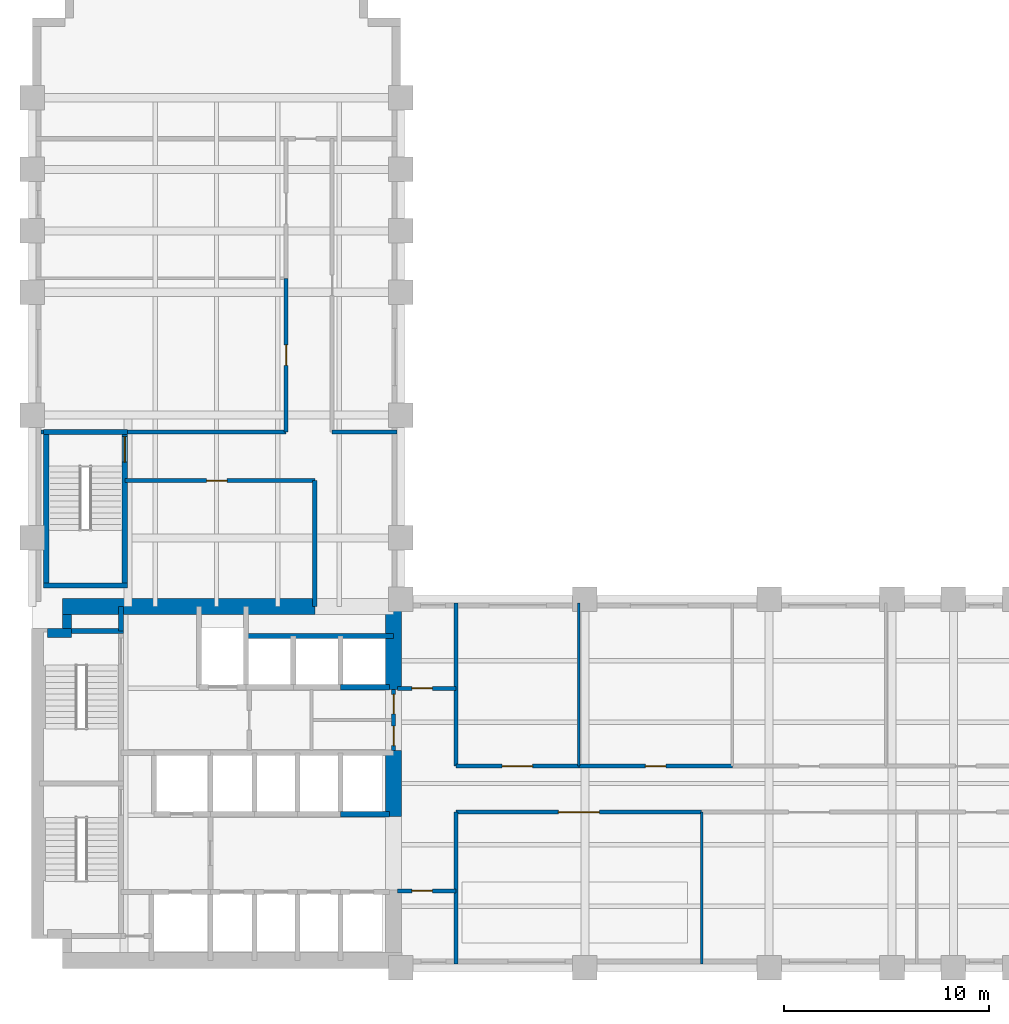
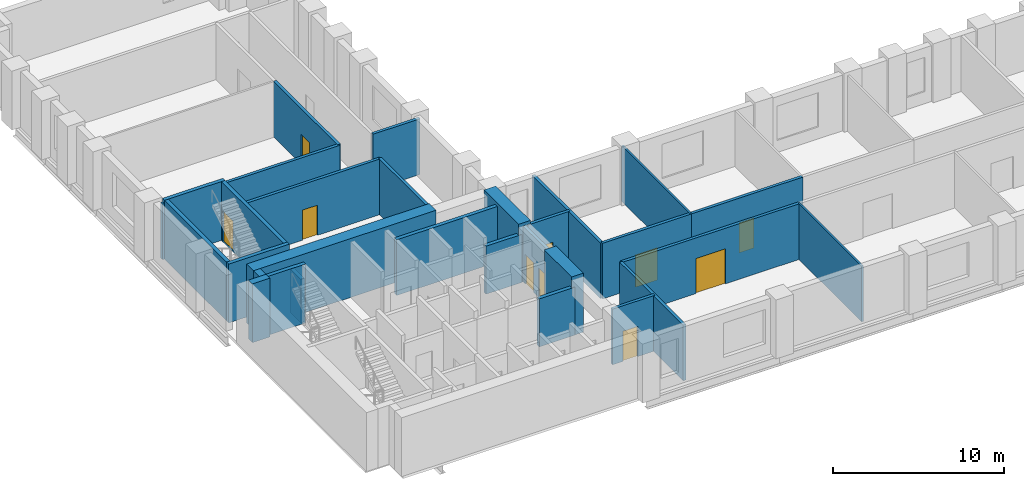
# One storey, part 4 of 7: 30 walls, 10 doors, 10 openings.
"""IFC4 building model written with IfcOpenShell, lengths in metres."""

from ifc_helpers import new_model, si_unit, direction, frame, frame_2d, origin, place, context, subcontext, project, spatial, rectangle, extrude, material, layer, layer_set, type_object, element, fill, save


model = new_model("IFC4")

# Units and contexts
model_context = context("Model", 3, precision=1e-05, world=origin(), true_north=direction((0.0, 1.0)))
body_context = subcontext(model_context, "Body", "Model", "MODEL_VIEW")
ifc_project = project(units=[si_unit("LENGTHUNIT", "METRE"), si_unit("AREAUNIT", "SQUARE_METRE"), si_unit("VOLUMEUNIT", "CUBIC_METRE"), si_unit("PLANEANGLEUNIT", "RADIAN"), si_unit("MASSUNIT", "GRAM", prefix="KILO")], contexts=[model_context])

# Site, building, storey
site_placement = place(None, origin())
site = spatial("IfcSite", under=ifc_project, at=site_placement, CompositionType="ELEMENT")
building_placement = place(site_placement, origin())
building = spatial("IfcBuilding", under=site, at=building_placement, Name="Mawjdan Bourse Tower", CompositionType="ELEMENT")
storey_placement = place(building_placement, frame((0.0, 0.0, 55.199951171875)))
storey = spatial("IfcBuildingStorey", under=building, at=storey_placement, Name="L12", CompositionType="ELEMENT", Elevation=55.199951171875)

# Wall, openings, doors
ifc_material_1 = material(Name="Gypsum Fireboard Assembly")
ifc_layer_1 = layer(ifc_material_1, 0.199951171875)
ifc_layer_set_1 = layer_set([ifc_layer_1], Name="Gypsum Fireboard Assembly")
wall_type_1 = type_object("IfcWallType", Name="WL-CMP-200", PredefinedType="PARTITIONING", material=ifc_layer_set_1)
wall_1_placement = place(storey_placement, frame((23.64990234375, 13.60009765625, 0.0), z_axis=(0.0, 0.0, 1.0), x_axis=(0.0, 1.0, 0.0)))
wall_1 = element("IfcWall", 1, at=wall_1_placement, inside=storey, type_object=wall_type_1, Name="L12 Core Restroom East Enclosing Wall", PredefinedType="PARTITIONING", context=body_context, shape_type="SweptSolid", body=[
    extrude(rectangle(XDim=3.0, YDim=0.199951171875, at=frame_2d((1.5, 0.0))), origin(), (0.0, 0.0, 1.0), 3.969970703125),
])
opening_1_placement = place(wall_1_placement, frame((0.25, 0.0, 0.0)))
opening_1 = element("IfcOpeningElement", 2, at=opening_1_placement, cuts=wall_1, Name="Opening D-L12-15", PredefinedType="OPENING", context=body_context, shape_type="SweptSolid", body=[
    extrude(rectangle(XDim=0.949951171875, YDim=2.10009765625, at=frame_2d((0.47509765625, 1.050048828125))), frame((0.0, 0.10986328125, 0.0), z_axis=(0.0, -1.0, 0.0), x_axis=(1.0, 0.0, 0.0)), (0.0, 0.0, 1.0), 0.219970703125),
])
opening_2_placement = place(wall_1_placement, frame((1.800048828125, 0.0, 0.0)))
opening_2 = element("IfcOpeningElement", 3, at=opening_2_placement, cuts=wall_1, Name="Opening D-L12-16", PredefinedType="OPENING", context=body_context, shape_type="SweptSolid", body=[
    extrude(rectangle(XDim=0.949951171875, YDim=2.10009765625, at=frame_2d((0.47509765625, 1.050048828125))), frame((0.0, 0.10986328125, 0.0), z_axis=(0.0, -1.0, 0.0), x_axis=(1.0, 0.0, 0.0)), (0.0, 0.0, 1.0), 0.219970703125),
])
ifc_material_2 = material(Name="Moisture-Resistant Laminate Timber", Category="wood")
door_type_1 = type_object("IfcDoorType", Name="DR-WET-0950", OperationType="NOTDEFINED", PredefinedType="DOOR", material=ifc_material_2)
door_1_placement = place(opening_1_placement, origin())
door_1 = element("IfcDoor", 4, at=door_1_placement, inside=storey, type_object=door_type_1, Name="L12 Accessible WC East Entry Door D-L12-15", OperationType="SINGLE_SWING_RIGHT", OverallHeight=2.10009765625, OverallWidth=0.949951171875, PredefinedType="DOOR", context=body_context, shape_type="SweptSolid", body=[
    extrude(rectangle(XDim=0.949951171875, YDim=2.10009765625, at=frame_2d((0.47509765625, 1.050048828125))), frame((0.0, 0.02490234375, 0.0), z_axis=(0.0, -1.0, 0.0), x_axis=(1.0, 0.0, 0.0)), (0.0, 0.0, 1.0), 0.050048828125),
])
fill(opening_1, door_1)
door_2_placement = place(opening_2_placement, origin())
door_2 = element("IfcDoor", 5, at=door_2_placement, inside=storey, type_object=door_type_1, Name="L12 Female Restroom East Entry Door D-L12-16", OperationType="SINGLE_SWING_LEFT", OverallHeight=2.10009765625, OverallWidth=0.949951171875, PredefinedType="DOOR", context=body_context, shape_type="SweptSolid", body=[
    extrude(rectangle(XDim=0.949951171875, YDim=2.10009765625, at=frame_2d((0.47509765625, 1.050048828125))), frame((0.0, 0.02490234375, 0.0), z_axis=(0.0, -1.0, 0.0), x_axis=(1.0, 0.0, 0.0)), (0.0, 0.0, 1.0), 0.050048828125),
])
fill(opening_2, door_2)

# Wall, opening, door
wall_2_placement = place(storey_placement, frame((23.85009765625, 6.75, 0.0), z_axis=(0.0, 0.0, 1.0), x_axis=(1.0, 0.0, 0.0)))
wall_2 = element("IfcWall", 6, at=wall_2_placement, inside=storey, type_object=wall_type_1, Name="L12 West Pocket North Wall", PredefinedType="PARTITIONING", context=body_context, shape_type="SweptSolid", body=[
    extrude(rectangle(XDim=2.849853515625, YDim=0.199951171875, at=frame_2d((1.4248046875, 0.0))), origin(), (0.0, 0.0, 1.0), 3.969970703125),
])
opening_3_placement = place(wall_2_placement, frame((0.699951171875, 0.0, 0.0)))
opening_3 = element("IfcOpeningElement", 7, at=opening_3_placement, cuts=wall_2, Name="Opening D-L12-18", PredefinedType="OPENING", context=body_context, shape_type="SweptSolid", body=[
    extrude(rectangle(XDim=1.0, YDim=2.14990234375, at=frame_2d((0.5, 1.074951171875))), frame((0.0, 0.10986328125, 0.0), z_axis=(0.0, -1.0, 0.0), x_axis=(1.0, 0.0, 0.0)), (0.0, 0.0, 1.0), 0.219970703125),
])
ifc_material_3 = material(Name="Hardwood Acoustic Leaf", Category="wood")
door_type_2 = type_object("IfcDoorType", Name="DR-OFC-1000", OperationType="NOTDEFINED", PredefinedType="DOOR", material=ifc_material_3)
door_3_placement = place(opening_3_placement, origin())
door_3 = element("IfcDoor", 8, at=door_3_placement, inside=storey, type_object=door_type_2, Name="L12 West Pocket Office Door D-L12-18", OperationType="SINGLE_SWING_LEFT", OverallHeight=2.14990234375, OverallWidth=1.0, PredefinedType="DOOR", context=body_context, shape_type="SweptSolid", body=[
    extrude(rectangle(XDim=1.0, YDim=2.14990234375, at=frame_2d((0.5, 1.074951171875))), frame((0.0, 0.02490234375, 0.0), z_axis=(0.0, -1.0, 0.0), x_axis=(1.0, 0.0, 0.0)), (0.0, 0.0, 1.0), 0.050048828125),
])
fill(opening_3, door_3)

wall_3_placement = place(storey_placement, frame((23.85009765625, 16.64990234375, 0.0), z_axis=(0.0, 0.0, 1.0), x_axis=(1.0, 0.0, 0.0)))
wall_3 = element("IfcWall", 9, at=wall_3_placement, inside=storey, type_object=wall_type_1, Name="L12 West North Pocket Wall", PredefinedType="PARTITIONING", context=body_context, shape_type="SweptSolid", body=[
    extrude(rectangle(XDim=2.849853515625, YDim=0.199951171875, at=frame_2d((1.4248046875, 0.0))), origin(), (0.0, 0.0, 1.0), 3.969970703125),
])
opening_4_placement = place(wall_3_placement, frame((0.699951171875, 0.0, 0.0)))
opening_4 = element("IfcOpeningElement", 10, at=opening_4_placement, cuts=wall_3, Name="Opening D-L12-19", PredefinedType="OPENING", context=body_context, shape_type="SweptSolid", body=[
    extrude(rectangle(XDim=1.0, YDim=2.14990234375, at=frame_2d((0.5, 1.074951171875))), frame((0.0, 0.10986328125, 0.0), z_axis=(0.0, -1.0, 0.0), x_axis=(1.0, 0.0, 0.0)), (0.0, 0.0, 1.0), 0.219970703125),
])
door_4_placement = place(opening_4_placement, origin())
door_4 = element("IfcDoor", 11, at=door_4_placement, inside=storey, type_object=door_type_2, Name="L12 West North Pocket Door D-L12-19", OperationType="SINGLE_SWING_RIGHT", OverallHeight=2.14990234375, OverallWidth=1.0, PredefinedType="DOOR", context=body_context, shape_type="SweptSolid", body=[
    extrude(rectangle(XDim=1.0, YDim=2.14990234375, at=frame_2d((0.5, 1.074951171875))), frame((0.0, 0.02490234375, 0.0), z_axis=(0.0, -1.0, 0.0), x_axis=(1.0, 0.0, 0.0)), (0.0, 0.0, 1.0), 0.050048828125),
])
fill(opening_4, door_4)

# Walls
wall_4_placement = place(storey_placement, frame((26.699951171875, 3.179931640625, 0.0), z_axis=(0.0, 0.0, 1.0), x_axis=(0.0, 1.0, 0.0)))
element("IfcWall", 12, at=wall_4_placement, inside=storey, type_object=wall_type_1, Name="L12 Vestibule South East Wall", PredefinedType="PARTITIONING", context=body_context, shape_type="SweptSolid", body=[
    extrude(rectangle(XDim=7.420166015625, YDim=0.199951171875, at=frame_2d((3.7099609375, 0.0))), origin(), (0.0, 0.0, 1.0), 3.969970703125),
])
wall_5_placement = place(storey_placement, frame((26.699951171875, 12.85009765625, 0.0), z_axis=(0.0, 0.0, 1.0), x_axis=(0.0, 1.0, 0.0)))
element("IfcWall", 13, at=wall_5_placement, inside=storey, type_object=wall_type_1, Name="L12 Vestibule North East Wall", PredefinedType="PARTITIONING", context=body_context, shape_type="SweptSolid", body=[
    extrude(rectangle(XDim=7.969970703125, YDim=0.199951171875, at=frame_2d((3.98486328125, 0.0))), origin(), (0.0, 0.0, 1.0), 3.969970703125),
])

# Wall, opening, door
wall_6_placement = place(storey_placement, frame((26.699951171875, 10.60009765625, 0.0), z_axis=(0.0, 0.0, 1.0), x_axis=(1.0, 0.0, 0.0)))
wall_6 = element("IfcWall", 14, at=wall_6_placement, inside=storey, type_object=wall_type_1, Name="L12 Trading Floor Corridor Wall", PredefinedType="PARTITIONING", context=body_context, shape_type="SweptSolid", body=[
    extrude(rectangle(XDim=12.0, YDim=0.199951171875, at=frame_2d((6.0, 0.0))), origin(), (0.0, 0.0, 1.0), 3.969970703125),
])
opening_5_placement = place(wall_6_placement, frame((5.0, 0.0, 0.0)))
opening_5 = element("IfcOpeningElement", 15, at=opening_5_placement, cuts=wall_6, Name="Opening D-L12-20", PredefinedType="OPENING", context=body_context, shape_type="SweptSolid", body=[
    extrude(rectangle(XDim=2.0, YDim=2.5, at=frame_2d((1.0, 1.25))), frame((0.0, 0.10986328125, 0.0), z_axis=(0.0, -1.0, 0.0), x_axis=(1.0, 0.0, 0.0)), (0.0, 0.0, 1.0), 0.219970703125),
])
ifc_material_4 = material(Name="Acoustic Veneered Timber", Category="wood")
door_type_3 = type_object("IfcDoorType", Name="DR-ASM-2000", OperationType="DOUBLE_DOOR_SINGLE_SWING", PredefinedType="DOOR", material=ifc_material_4)
door_5_placement = place(opening_5_placement, origin())
door_5 = element("IfcDoor", 16, at=door_5_placement, inside=storey, type_object=door_type_3, Name="L12 Trading Floor Door D-L12-20", OperationType="DOUBLE_DOOR_SINGLE_SWING", OverallHeight=2.5, OverallWidth=2.0, PredefinedType="DOOR", context=body_context, shape_type="SweptSolid", body=[
    extrude(rectangle(XDim=2.0, YDim=2.5, at=frame_2d((1.0, 1.25))), frame((0.0, 0.02490234375, 0.0), z_axis=(0.0, -1.0, 0.0), x_axis=(1.0, 0.0, 0.0)), (0.0, 0.0, 1.0), 0.050048828125),
])
fill(opening_5, door_5)

wall_7_placement = place(storey_placement, frame((26.699951171875, 12.85009765625, 0.0), z_axis=(0.0, 0.0, 1.0), x_axis=(1.0, 0.0, 0.0)))
wall_7 = element("IfcWall", 17, at=wall_7_placement, inside=storey, type_object=wall_type_1, Name="L12 Conference Room Corridor Wall", PredefinedType="PARTITIONING", context=body_context, shape_type="SweptSolid", body=[
    extrude(rectangle(XDim=6.0, YDim=0.199951171875, at=frame_2d((3.0, 0.0))), origin(), (0.0, 0.0, 1.0), 3.969970703125),
])
opening_6_placement = place(wall_7_placement, frame((2.25, 0.0, 0.0)))
opening_6 = element("IfcOpeningElement", 18, at=opening_6_placement, cuts=wall_7, Name="Opening D-L12-23", PredefinedType="OPENING", context=body_context, shape_type="SweptSolid", body=[
    extrude(rectangle(XDim=1.5, YDim=2.300048828125, at=frame_2d((0.75, 1.14990234375))), frame((0.0, 0.10986328125, 0.0), z_axis=(0.0, -1.0, 0.0), x_axis=(1.0, 0.0, 0.0)), (0.0, 0.0, 1.0), 0.219970703125),
])
ifc_material_5 = material(Name="Acoustic Glazed Timber", Category="wood")
door_type_4 = type_object("IfcDoorType", Name="DR-CNF-1500", OperationType="DOUBLE_DOOR_SINGLE_SWING", PredefinedType="DOOR", material=ifc_material_5)
door_6_placement = place(opening_6_placement, origin())
door_6 = element("IfcDoor", 19, at=door_6_placement, inside=storey, type_object=door_type_4, Name="L12 Conference Room Door D-L12-23", OperationType="DOUBLE_DOOR_SINGLE_SWING", OverallHeight=2.300048828125, OverallWidth=1.5, PredefinedType="DOOR", context=body_context, shape_type="SweptSolid", body=[
    extrude(rectangle(XDim=1.5, YDim=2.300048828125, at=frame_2d((0.75, 1.14990234375))), frame((0.0, 0.02490234375, 0.0), z_axis=(0.0, -1.0, 0.0), x_axis=(1.0, 0.0, 0.0)), (0.0, 0.0, 1.0), 0.050048828125),
])
fill(opening_6, door_6)

wall_8_placement = place(storey_placement, frame((32.699951171875, 12.85009765625, 0.0), z_axis=(0.0, 0.0, 1.0), x_axis=(1.0, 0.0, 0.0)))
wall_8 = element("IfcWall", 20, at=wall_8_placement, inside=storey, type_object=wall_type_1, Name="L12 Client Meeting Room Corridor Wall", PredefinedType="PARTITIONING", context=body_context, shape_type="SweptSolid", body=[
    extrude(rectangle(XDim=7.5, YDim=0.199951171875, at=frame_2d((3.75, 0.0))), origin(), (0.0, 0.0, 1.0), 3.969970703125),
])
opening_7_placement = place(wall_8_placement, frame((3.25, 0.0, 0.0)))
opening_7 = element("IfcOpeningElement", 21, at=opening_7_placement, cuts=wall_8, Name="Opening D-L12-24", PredefinedType="OPENING", context=body_context, shape_type="SweptSolid", body=[
    extrude(rectangle(XDim=1.0, YDim=2.14990234375, at=frame_2d((0.5, 1.074951171875))), frame((0.0, 0.10986328125, 0.0), z_axis=(0.0, -1.0, 0.0), x_axis=(1.0, 0.0, 0.0)), (0.0, 0.0, 1.0), 0.219970703125),
])
door_7_placement = place(opening_7_placement, origin())
door_7 = element("IfcDoor", 22, at=door_7_placement, inside=storey, type_object=door_type_2, Name="L12 Client Meeting Room Door D-L12-24", OperationType="SINGLE_SWING_LEFT", OverallHeight=2.14990234375, OverallWidth=1.0, PredefinedType="DOOR", context=body_context, shape_type="SweptSolid", body=[
    extrude(rectangle(XDim=1.0, YDim=2.14990234375, at=frame_2d((0.5, 1.074951171875))), frame((0.0, 0.02490234375, 0.0), z_axis=(0.0, -1.0, 0.0), x_axis=(1.0, 0.0, 0.0)), (0.0, 0.0, 1.0), 0.050048828125),
])
fill(opening_7, door_7)

wall_9_placement = place(storey_placement, frame((10.52001953125, 26.800048828125, 0.0), z_axis=(0.0, 0.0, 1.0), x_axis=(1.0, 0.0, 0.0)))
wall_9 = element("IfcWall", 23, at=wall_9_placement, inside=storey, type_object=wall_type_1, Name="L12 North Throat North Wall", PredefinedType="PARTITIONING", context=body_context, shape_type="SweptSolid", body=[
    extrude(rectangle(XDim=9.280029296875, YDim=0.199951171875, at=frame_2d((4.64013671875, 0.0))), origin(), (0.0, 0.0, 1.0), 3.969970703125),
])
opening_8_placement = place(wall_9_placement, frame((4.0, 0.0, 0.0)))
opening_8 = element("IfcOpeningElement", 24, at=opening_8_placement, cuts=wall_9, Name="Opening D-L12-28", PredefinedType="OPENING", context=body_context, shape_type="SweptSolid", body=[
    extrude(rectangle(XDim=1.0, YDim=2.14990234375, at=frame_2d((0.5, 1.074951171875))), frame((0.0, 0.10986328125, 0.0), z_axis=(0.0, -1.0, 0.0), x_axis=(1.0, 0.0, 0.0)), (0.0, 0.0, 1.0), 0.219970703125),
])
door_8_placement = place(opening_8_placement, origin())
door_8 = element("IfcDoor", 25, at=door_8_placement, inside=storey, type_object=door_type_2, Name="L12 North Throat Suite Door D-L12-28", OperationType="SINGLE_SWING_LEFT", OverallHeight=2.14990234375, OverallWidth=1.0, PredefinedType="DOOR", context=body_context, shape_type="SweptSolid", body=[
    extrude(rectangle(XDim=1.0, YDim=2.14990234375, at=frame_2d((0.5, 1.074951171875))), frame((0.0, 0.02490234375, 0.0), z_axis=(0.0, -1.0, 0.0), x_axis=(1.0, 0.0, 0.0)), (0.0, 0.0, 1.0), 0.050048828125),
])
fill(opening_8, door_8)

# Walls
wall_10_placement = place(storey_placement, frame((19.800048828125, 20.64990234375, 0.0), z_axis=(0.0, 0.0, 1.0), x_axis=(0.0, 1.0, 0.0)))
element("IfcWall", 26, at=wall_10_placement, inside=storey, type_object=wall_type_1, Name="L12 North Throat East Wall", PredefinedType="PARTITIONING", context=body_context, shape_type="SweptSolid", body=[
    extrude(rectangle(XDim=6.150146484375, YDim=0.199951171875, at=frame_2d((3.0751953125, 0.0))), origin(), (0.0, 0.0, 1.0), 3.969970703125),
])
wall_11_placement = place(storey_placement, frame((6.419921875, 29.179931640625, 0.0), z_axis=(0.0, 0.0, 1.0), x_axis=(1.0, 0.0, 0.0)))
element("IfcWall", 27, at=wall_11_placement, inside=storey, type_object=wall_type_1, Name="L12 North West Band ST3 West Return", PredefinedType="PARTITIONING", context=body_context, shape_type="SweptSolid", body=[
    extrude(rectangle(XDim=0.135009765625, YDim=0.199951171875, at=frame_2d((0.0673828125, 0.0))), origin(), (0.0, 0.0, 1.0), 3.969970703125),
])
wall_12_placement = place(storey_placement, frame((10.6298828125, 29.179931640625, 0.0), z_axis=(0.0, 0.0, 1.0), x_axis=(1.0, 0.0, 0.0)))
element("IfcWall", 28, at=wall_12_placement, inside=storey, type_object=wall_type_1, Name="L12 North West Band South Wall", PredefinedType="PARTITIONING", context=body_context, shape_type="SweptSolid", body=[
    extrude(rectangle(XDim=7.77001953125, YDim=0.199951171875, at=frame_2d((3.885009765625, 0.0))), origin(), (0.0, 0.0, 1.0), 3.969970703125),
])
wall_13_placement = place(storey_placement, frame((20.64990234375, 29.179931640625, 0.0), z_axis=(0.0, 0.0, 1.0), x_axis=(1.0, 0.0, 0.0)))
element("IfcWall", 29, at=wall_13_placement, inside=storey, type_object=wall_type_1, Name="L12 North East Band South Wall", PredefinedType="PARTITIONING", context=body_context, shape_type="SweptSolid", body=[
    extrude(rectangle(XDim=3.170166015625, YDim=0.199951171875, at=frame_2d((1.5849609375, 0.0))), origin(), (0.0, 0.0, 1.0), 3.969970703125),
])

# Wall, opening, door
wall_14_placement = place(storey_placement, frame((18.39990234375, 29.179931640625, 0.0), z_axis=(0.0, 0.0, 1.0), x_axis=(0.0, 1.0, 0.0)))
wall_14 = element("IfcWall", 30, at=wall_14_placement, inside=storey, type_object=wall_type_1, Name="L12 Commodities Dealing Hall Corridor Wall", PredefinedType="PARTITIONING", context=body_context, shape_type="SweptSolid", body=[
    extrude(rectangle(XDim=7.5, YDim=0.199951171875, at=frame_2d((3.75, 0.0))), origin(), (0.0, 0.0, 1.0), 3.969970703125),
])
opening_9_placement = place(wall_14_placement, frame((3.25, 0.0, 0.0)))
opening_9 = element("IfcOpeningElement", 31, at=opening_9_placement, cuts=wall_14, Name="Opening D-L12-29", PredefinedType="OPENING", context=body_context, shape_type="SweptSolid", body=[
    extrude(rectangle(XDim=1.0, YDim=2.14990234375, at=frame_2d((0.5, 1.074951171875))), frame((0.0, 0.10986328125, 0.0), z_axis=(0.0, -1.0, 0.0), x_axis=(1.0, 0.0, 0.0)), (0.0, 0.0, 1.0), 0.219970703125),
])
door_9_placement = place(opening_9_placement, origin())
door_9 = element("IfcDoor", 32, at=door_9_placement, inside=storey, type_object=door_type_2, Name="L12 Commodities Dealing Hall Door D-L12-29", OperationType="SINGLE_SWING_RIGHT", OverallHeight=2.14990234375, OverallWidth=1.0, PredefinedType="DOOR", context=body_context, shape_type="SweptSolid", body=[
    extrude(rectangle(XDim=1.0, YDim=2.14990234375, at=frame_2d((0.5, 1.074951171875))), frame((0.0, 0.02490234375, 0.0), z_axis=(0.0, -1.0, 0.0), x_axis=(1.0, 0.0, 0.0)), (0.0, 0.0, 1.0), 0.050048828125),
])
fill(opening_9, door_9)

# Walls
ifc_material_6 = material(Name="Concrete C60/75", Category="concrete")
ifc_layer_2 = layer(ifc_material_6, 0.449951171875)
ifc_layer_set_2 = layer_set([ifc_layer_2], Name="Concrete C60/75")
wall_type_2 = type_object("IfcWallType", Name="WL-CORE-450", PredefinedType="SHEAR", material=ifc_layer_set_2)
wall_15_placement = place(storey_placement, frame((6.75, 19.35009765625, 0.0), z_axis=(0.0, 0.0, 1.0), x_axis=(1.0, 0.0, 0.0)))
element("IfcWall", 33, at=wall_15_placement, inside=storey, type_object=wall_type_2, Name="L12 Rear Core Shear Wall NW-X", PredefinedType="SHEAR", context=body_context, shape_type="SweptSolid", body=[
    extrude(rectangle(XDim=1.175048828125, YDim=0.449951171875, at=frame_2d((0.58740234375, 0.0))), origin(), (0.0, 0.0, 1.0), 4.199951171875),
])
wall_16_placement = place(storey_placement, frame((7.699951171875, 19.574951171875, 0.0), z_axis=(0.0, 0.0, 1.0), x_axis=(0.0, 1.0, 0.0)))
element("IfcWall", 34, at=wall_16_placement, inside=storey, type_object=wall_type_2, Name="L12 Rear Core Shear Wall NW-Y", PredefinedType="SHEAR", context=body_context, shape_type="SweptSolid", body=[
    extrude(rectangle(XDim=0.675048828125, YDim=0.449951171875, at=frame_2d((0.33740234375, 0.0))), origin(), (0.0, 0.0, 1.0), 4.199951171875),
])
ifc_material_7 = material(Name="Concrete C80/95", Category="concrete")
ifc_layer_3 = layer(ifc_material_7, 0.800048828125)
ifc_layer_set_3 = layer_set([ifc_layer_3], Name="Concrete C80/95")
wall_type_3 = type_object("IfcWallType", Name="WL-CORE-800", PredefinedType="SHEAR", material=ifc_layer_set_3)
wall_17_placement = place(storey_placement, frame((7.47509765625, 20.64990234375, 0.0), z_axis=(0.0, 0.0, 1.0), x_axis=(1.0, 0.0, 0.0)))
element("IfcWall", 35, at=wall_17_placement, inside=storey, type_object=wall_type_3, Name="L12 Rear Core Shear Wall N", PredefinedType="SHEAR", context=body_context, shape_type="SweptSolid", body=[
    extrude(rectangle(XDim=12.324951171875, YDim=0.800048828125, at=frame_2d((6.16259765625, 0.0))), origin(), (0.0, 0.0, 1.0), 4.199951171875),
])
wall_18_placement = place(storey_placement, frame((23.64990234375, 10.39990234375, 0.0), z_axis=(0.0, 0.0, 1.0), x_axis=(0.0, 1.0, 0.0)))
element("IfcWall", 36, at=wall_18_placement, inside=storey, type_object=wall_type_3, Name="L12 Rear Core Shear Wall E2", PredefinedType="SHEAR", context=body_context, shape_type="SweptSolid", body=[
    extrude(rectangle(XDim=3.2001953125, YDim=0.800048828125, at=frame_2d((1.60009765625, 0.0))), origin(), (0.0, 0.0, 1.0), 4.199951171875),
])
wall_19_placement = place(storey_placement, frame((23.64990234375, 16.60009765625, 0.0), z_axis=(0.0, 0.0, 1.0), x_axis=(0.0, 1.0, 0.0)))
element("IfcWall", 37, at=wall_19_placement, inside=storey, type_object=wall_type_3, Name="L12 Rear Core Shear Wall E3", PredefinedType="SHEAR", context=body_context, shape_type="SweptSolid", body=[
    extrude(rectangle(XDim=4.0498046875, YDim=0.800048828125, at=frame_2d((2.02490234375, 0.0))), origin(), (0.0, 0.0, 1.0), 4.199951171875),
])
ifc_material_8 = material(Name="Gypsum Partition")
ifc_layer_4 = layer(ifc_material_8, 0.125)
ifc_layer_set_4 = layer_set([ifc_layer_4], Name="Gypsum Partition")
wall_type_4 = type_object("IfcWallType", Name="WL-PRT-125", PredefinedType="PARTITIONING", material=ifc_layer_set_4)
wall_20_placement = place(storey_placement, frame((38.699951171875, 3.179931640625, 0.0), z_axis=(0.0, 0.0, 1.0), x_axis=(0.0, 1.0, 0.0)))
element("IfcWall", 38, at=wall_20_placement, inside=storey, type_object=wall_type_4, Name="L12 Commodities Dealing Hall Partition", PredefinedType="PARTITIONING", context=body_context, shape_type="SweptSolid", body=[
    extrude(rectangle(XDim=7.420166015625, YDim=0.125, at=frame_2d((3.7099609375, 0.0))), origin(), (0.0, 0.0, 1.0), 3.969970703125),
])
wall_21_placement = place(storey_placement, frame((32.699951171875, 12.85009765625, 0.0), z_axis=(0.0, 0.0, 1.0), x_axis=(0.0, 1.0, 0.0)))
element("IfcWall", 39, at=wall_21_placement, inside=storey, type_object=wall_type_4, Name="L12 Client Meeting Room Partition", PredefinedType="PARTITIONING", context=body_context, shape_type="SweptSolid", body=[
    extrude(rectangle(XDim=7.969970703125, YDim=0.125, at=frame_2d((3.98486328125, 0.0))), origin(), (0.0, 0.0, 1.0), 3.969970703125),
])
ifc_material_9 = material(Name="Concrete C50/60", Category="concrete")
ifc_layer_5 = layer(ifc_material_9, 0.25)
ifc_layer_set_5 = layer_set([ifc_layer_5], Name="Concrete C50/60")
wall_type_5 = type_object("IfcWallType", Name="WL-SHFT-250", PredefinedType="PARTITIONING", material=ifc_layer_set_5)
wall_22_placement = place(storey_placement, frame((10.330078125, 19.449951171875, 0.0), z_axis=(0.0, 0.0, 1.0), x_axis=(0.0, 1.0, 0.0)))
element("IfcWall", 40, at=wall_22_placement, inside=storey, type_object=wall_type_5, Name="L12 NW Riser East Wall", PredefinedType="PARTITIONING", context=body_context, shape_type="SweptSolid", body=[
    extrude(rectangle(XDim=1.199951171875, YDim=0.25, at=frame_2d((0.60009765625, 0.0))), origin(), (0.0, 0.0, 1.0), 3.114013671875),
])
wall_23_placement = place(storey_placement, frame((21.050048828125, 16.699951171875, 0.0), z_axis=(0.0, 0.0, 1.0), x_axis=(1.0, 0.0, 0.0)))
element("IfcWall", 41, at=wall_23_placement, inside=storey, type_object=wall_type_5, Name="L12 PH-03 Front Wall", PredefinedType="PARTITIONING", context=body_context, shape_type="SweptSolid", body=[
    extrude(rectangle(XDim=2.39990234375, YDim=0.25, at=frame_2d((1.199951171875, 0.0))), origin(), (0.0, 0.0, 1.0), 3.426025390625),
])
wall_24_placement = place(storey_placement, frame((16.449951171875, 19.199951171875, 0.0), z_axis=(0.0, 0.0, 1.0), x_axis=(1.0, 0.0, 0.0)))
element("IfcWall", 42, at=wall_24_placement, inside=storey, type_object=wall_type_5, Name="L12 PH Bank North Shaft Back Wall", PredefinedType="PARTITIONING", context=body_context, shape_type="SweptSolid", body=[
    extrude(rectangle(XDim=7.199951171875, YDim=0.25, at=frame_2d((3.60009765625, 0.0))), origin(), (0.0, 0.0, 1.0), 3.969970703125),
])
wall_25_placement = place(storey_placement, frame((21.050048828125, 10.5, 0.0), z_axis=(0.0, 0.0, 1.0), x_axis=(1.0, 0.0, 0.0)))
element("IfcWall", 43, at=wall_25_placement, inside=storey, type_object=wall_type_5, Name="L12 PM-04 Front Wall", PredefinedType="PARTITIONING", context=body_context, shape_type="SweptSolid", body=[
    extrude(rectangle(XDim=2.39990234375, YDim=0.25, at=frame_2d((1.199951171875, 0.0))), origin(), (0.0, 0.0, 1.0), 3.426025390625),
])
ifc_layer_6 = layer(ifc_material_9, 0.25)
ifc_layer_set_6 = layer_set([ifc_layer_6], Name="Concrete C50/60")
wall_type_6 = type_object("IfcWallType", Name="WL-STRW-250", PredefinedType="SHEAR", material=ifc_layer_set_6)
wall_26_placement = place(storey_placement, frame((7.699951171875, 19.449951171875, 0.0), z_axis=(0.0, 0.0, 1.0), x_axis=(1.0, 0.0, 0.0)))
element("IfcWall", 44, at=wall_26_placement, inside=storey, type_object=wall_type_6, Name="L12 Stairwell ST2 North Shaft Wall", PredefinedType="SHEAR", context=body_context, shape_type="SweptSolid", body=[
    extrude(rectangle(XDim=2.755126953125, YDim=0.25, at=frame_2d((1.37744140625, 0.0))), origin(), (0.0, 0.0, 1.0), 4.199951171875),
])
for number, where, z_axis, x_axis, name in (
    (45, (6.554931640625, 21.679931640625, 0.0), (0.0, 0.0, 1.0), (1.0, 0.0, 0.0), "L12 ST3 South Shaft Wall"),
    (46, (6.554931640625, 29.179931640625, 0.0), (0.0, 0.0, 1.0), (1.0, 0.0, 0.0), "L12 ST3 North Shaft Wall"),
):
    element("IfcWall", number, at=place(storey_placement, frame(where, z_axis=z_axis, x_axis=x_axis)), inside=storey, type_object=wall_type_6, Name=name, PredefinedType="SHEAR", context=body_context, shape_type="SweptSolid", body=[
        extrude(rectangle(XDim=4.090087890625, YDim=0.25, at=frame_2d((2.044921875, 0.0))), origin(), (0.0, 0.0, 1.0), 4.199951171875),
    ])
wall_27_placement = place(storey_placement, frame((6.679931640625, 21.679931640625, 0.0), z_axis=(0.0, 0.0, 1.0), x_axis=(0.0, 1.0, 0.0)))
element("IfcWall", 47, at=wall_27_placement, inside=storey, type_object=wall_type_6, Name="L12 ST3 West Shaft Wall", PredefinedType="SHEAR", context=body_context, shape_type="SweptSolid", body=[
    extrude(rectangle(XDim=7.5, YDim=0.25, at=frame_2d((3.75, 0.0))), origin(), (0.0, 0.0, 1.0), 4.199951171875),
])

# Wall, opening, door
wall_28_placement = place(storey_placement, frame((10.52001953125, 21.679931640625, 0.0), z_axis=(0.0, 0.0, 1.0), x_axis=(0.0, 1.0, 0.0)))
wall_28 = element("IfcWall", 48, at=wall_28_placement, inside=storey, type_object=wall_type_6, Name="L12 ST3 East Shaft Wall", PredefinedType="SHEAR", context=body_context, shape_type="SweptSolid", body=[
    extrude(rectangle(XDim=7.5, YDim=0.25, at=frame_2d((3.75, 0.0))), origin(), (0.0, 0.0, 1.0), 4.199951171875),
])
opening_10_placement = place(wall_28_placement, frame((6.02001953125, 0.0, 0.0)))
opening_10 = element("IfcOpeningElement", 49, at=opening_10_placement, cuts=wall_28, Name="Opening SD-L12-17", PredefinedType="OPENING", context=body_context, shape_type="SweptSolid", body=[
    extrude(rectangle(XDim=1.25, YDim=2.199951171875, at=frame_2d((0.625, 1.10009765625))), frame((0.0, 0.135009765625, 0.0), z_axis=(0.0, -1.0, 0.0), x_axis=(1.0, 0.0, 0.0)), (0.0, 0.0, 1.0), 0.27001953125),
])
ifc_material_10 = material(Name="Fire-Rated Steel Leaf", Category="steel")
door_type_5 = type_object("IfcDoorType", Name="FD-ST-1250", OperationType="NOTDEFINED", PredefinedType="DOOR", material=ifc_material_10)
door_10_placement = place(opening_10_placement, origin())
door_10 = element("IfcDoor", 50, at=door_10_placement, inside=storey, type_object=door_type_5, Name="L12 Stair ST3 Fire Door SD-L12-17", OperationType="SINGLE_SWING_RIGHT", OverallHeight=2.199951171875, OverallWidth=1.25, PredefinedType="DOOR", context=body_context, shape_type="SweptSolid", body=[
    extrude(rectangle(XDim=1.25, YDim=2.199951171875, at=frame_2d((0.625, 1.10009765625))), frame((0.0, 0.02490234375, 0.0), z_axis=(0.0, -1.0, 0.0), x_axis=(1.0, 0.0, 0.0)), (0.0, 0.0, 1.0), 0.050048828125),
])
fill(opening_10, door_10)

save(model, "model.ifc")
